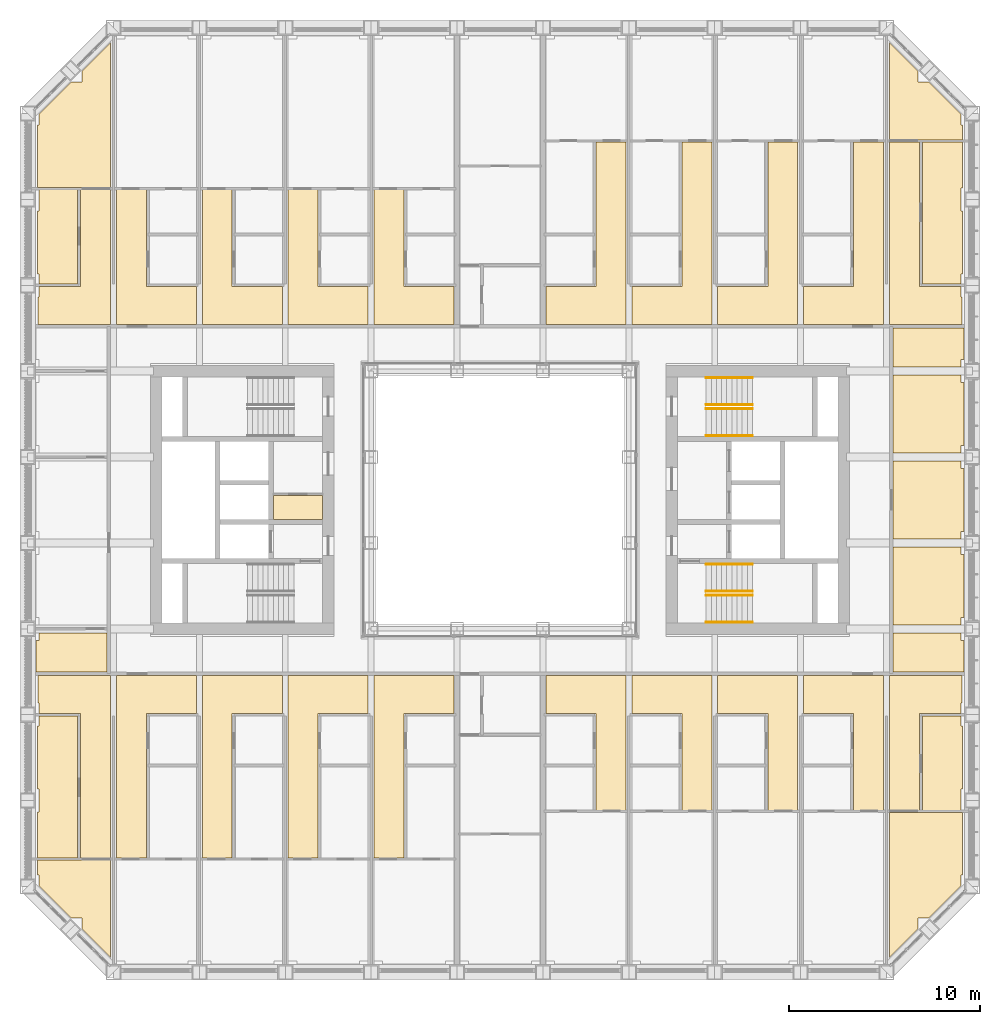
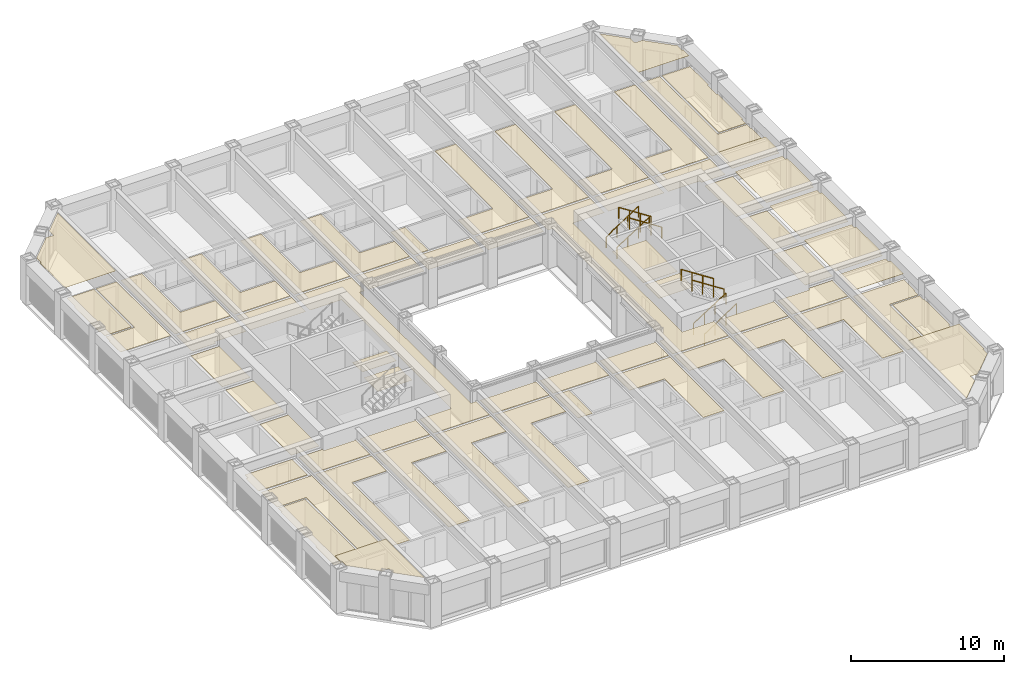
# One storey, part 20 of 21: 8 railings, 4 coverings.
"""IFC4 building model written with IfcOpenShell, lengths in metres."""

from ifc_helpers import new_model, si_unit, direction, frame, origin, origin_2d, place, context, subcontext, project, spatial, line, indexed_curve, circle, outline, extrude, material, layer, layer_set, type_object, element, save


model = new_model("IFC4")

# Units and contexts
model_context = context("Model", 3, precision=1e-05, world=origin(), true_north=direction((0.0, 1.0)))
body_context = subcontext(model_context, "Body", "Model", "MODEL_VIEW")
ifc_project = project(units=[si_unit("LENGTHUNIT", "METRE"), si_unit("AREAUNIT", "SQUARE_METRE"), si_unit("VOLUMEUNIT", "CUBIC_METRE"), si_unit("PLANEANGLEUNIT", "RADIAN"), si_unit("MASSUNIT", "GRAM", prefix="KILO")], contexts=[model_context])

# Site, building, storey
site_placement = place(None, origin())
site = spatial("IfcSite", under=ifc_project, at=site_placement, CompositionType="ELEMENT")
building_placement = place(site_placement, origin())
building = spatial("IfcBuilding", under=site, at=building_placement, Name="Msasa Ring Tower", CompositionType="ELEMENT")
storey_placement = place(building_placement, frame((0.0, 0.0, 100.0)))
storey = spatial("IfcBuildingStorey", under=building, at=storey_placement, Name="L26", CompositionType="ELEMENT", Elevation=100.0)

# Coverings
ifc_material_1 = material(Name="Gypsum plasterboard on a steel suspension grid", Category="steel")
ifc_layer_1 = layer(ifc_material_1, 0.014892578125)
ifc_layer_set_1 = layer_set([ifc_layer_1], Name="C1 SUSPENDED PLASTERBOARD CEILING 15")
covering_type_1 = type_object("IfcCoveringType", Name="C1 SUSPENDED PLASTERBOARD CEILING 15", PredefinedType="CEILING", material=ifc_layer_set_1)
covering_1_placement = place(storey_placement, frame((0.0, 0.0, 2.39990234375)))
element("IfcCovering", 1, at=covering_1_placement, inside=storey, type_object=covering_type_1, Name="Suspended Plasterboard Ceiling 15 circulation L26", PredefinedType="CEILING", context=body_context, shape_type="SweptSolid", body=[
    extrude(outline(indexed_curve([(-21.969482421875, -18.757080078125), (-21.969482421875, -11.18701171875), (-24.1494140625, -11.18701171875), (-24.1494140625, -10.6494140625), (-24.199462890625, -10.6494140625), (-24.199462890625, -9.200439453125), (-20.404296875, -9.200439453125), (-20.404296875, -18.757080078125)], segments=[line(1, 2, 3, 4, 5, 6, 7, 8, 1)], self_intersect=False)), origin(), (0.0, 0.0, 1.0), 0.01513671875),
    extrude(outline(indexed_curve([(-24.199462890625, 9.200439453125), (-24.199462890625, 10.6494140625), (-24.1494140625, 10.6494140625), (-24.1494140625, 11.18701171875), (-21.969482421875, 11.18701171875), (-21.969482421875, 16.257080078125), (-20.404296875, 16.257080078125), (-20.404296875, 9.200439453125)], segments=[line(1, 2, 3, 4, 5, 6, 7, 8, 1)], self_intersect=False)), origin(), (0.0, 0.0, 1.0), 0.01513671875),
    extrude(outline(indexed_curve([(-20.3994140625, -2.460693359375), (-18.300537109375, -2.460693359375), (-18.300537109375, -6.539306640625), (-20.3994140625, -6.539306640625)], segments=[line(1, 2, 3, 4, 1)], self_intersect=False)), origin(), (0.0, 0.0, 1.0), 0.01513671875),
    extrude(outline(indexed_curve([(-20.3994140625, 2.039306640625), (-18.300537109375, 2.039306640625), (-18.300537109375, -2.039306640625), (-20.3994140625, -2.039306640625)], segments=[line(1, 2, 3, 4, 1)], self_intersect=False)), origin(), (0.0, 0.0, 1.0), 0.01513671875),
    extrude(outline(indexed_curve([(-20.3994140625, 6.539306640625), (-18.300537109375, 6.539306640625), (-18.300537109375, 2.460693359375), (-20.3994140625, 2.460693359375)], segments=[line(1, 2, 3, 4, 1)], self_intersect=False)), origin(), (0.0, 0.0, 1.0), 0.01513671875),
    extrude(outline(indexed_curve([(-18.530517578125, -11.18701171875), (-18.530517578125, -18.757080078125), (-20.095703125, -18.757080078125), (-20.095703125, -9.200439453125), (-15.904296875, -9.200439453125), (-15.904296875, -11.18701171875)], segments=[line(1, 2, 3, 4, 5, 6, 1)], self_intersect=False)), origin(), (0.0, 0.0, 1.0), 0.01513671875),
    extrude(outline(indexed_curve([(-20.095703125, -8.99951171875), (-20.095703125, -6.960693359375), (-18.300537109375, -6.960693359375), (-18.300537109375, -7.150390625), (-15.904296875, -7.150390625), (-15.904296875, -8.99951171875)], segments=[line(1, 2, 3, 4, 5, 6, 1)], self_intersect=False)), origin(), (0.0, 0.0, 1.0), 0.01513671875),
    extrude(outline(indexed_curve([(-15.904296875, 8.99951171875), (-15.904296875, 7.150390625), (-18.300537109375, 7.150390625), (-18.300537109375, 6.960693359375), (-20.095703125, 6.960693359375), (-20.095703125, 8.99951171875)], segments=[line(1, 2, 3, 4, 5, 6, 1)], self_intersect=False)), origin(), (0.0, 0.0, 1.0), 0.01513671875),
    extrude(outline(indexed_curve([(-18.530517578125, 16.257080078125), (-18.530517578125, 11.18701171875), (-15.904296875, 11.18701171875), (-15.904296875, 9.200439453125), (-20.095703125, 9.200439453125), (-20.095703125, 16.257080078125)], segments=[line(1, 2, 3, 4, 5, 6, 1)], self_intersect=False)), origin(), (0.0, 0.0, 1.0), 0.01513671875),
    extrude(outline(indexed_curve([(-14.030517578125, -11.18701171875), (-14.030517578125, -18.757080078125), (-15.595703125, -18.757080078125), (-15.595703125, -9.200439453125), (-11.404296875, -9.200439453125), (-11.404296875, -11.18701171875)], segments=[line(1, 2, 3, 4, 5, 6, 1)], self_intersect=False)), origin(), (0.0, 0.0, 1.0), 0.01513671875),
    extrude(outline(indexed_curve([(-15.595703125, -8.99951171875), (-15.595703125, -7.150390625), (-11.404296875, -7.150390625), (-11.404296875, -8.99951171875)], segments=[line(1, 2, 3, 4, 1)], self_intersect=False)), origin(), (0.0, 0.0, 1.0), 0.01513671875),
    extrude(outline(indexed_curve([(-11.404296875, 8.99951171875), (-11.404296875, 7.150390625), (-15.595703125, 7.150390625), (-15.595703125, 8.99951171875)], segments=[line(1, 2, 3, 4, 1)], self_intersect=False)), origin(), (0.0, 0.0, 1.0), 0.01513671875),
    extrude(outline(indexed_curve([(-14.030517578125, 16.257080078125), (-14.030517578125, 11.18701171875), (-11.404296875, 11.18701171875), (-11.404296875, 9.200439453125), (-15.595703125, 9.200439453125), (-15.595703125, 16.257080078125)], segments=[line(1, 2, 3, 4, 5, 6, 1)], self_intersect=False)), origin(), (0.0, 0.0, 1.0), 0.01513671875),
    extrude(outline(indexed_curve([(-11.87451171875, -1.275390625), (-9.300537109375, -1.275390625), (-9.300537109375, -3.074462890625), (-11.87451171875, -3.074462890625)], segments=[line(1, 2, 3, 4, 1)], self_intersect=False)), origin(), (0.0, 0.0, 1.0), 0.01513671875),
    extrude(outline(indexed_curve([(-9.530517578125, -18.757080078125), (-11.095703125, -18.757080078125), (-11.095703125, -9.200439453125), (-6.904296875, -9.200439453125), (-6.904296875, -11.18701171875), (-9.530517578125, -11.18701171875)], segments=[line(1, 2, 3, 4, 5, 6, 1)], self_intersect=False)), origin(), (0.0, 0.0, 1.0), 0.01513671875),
    extrude(outline(indexed_curve([(-6.904296875, 8.99951171875), (-6.904296875, 7.280029296875), (-7.275390625, 7.275390625), (-7.280517578125, 7.23046875), (-7.280517578125, -7.23046875), (-7.275390625, -7.275390625), (-6.904296875, -7.280029296875), (-6.904296875, -8.99951171875), (-11.095703125, -8.99951171875), (-11.095703125, -7.150390625), (-8.699462890625, -7.150390625), (-8.699462890625, 7.150390625), (-11.095703125, 7.150390625), (-11.095703125, 8.99951171875)], segments=[line(1, 2, 3, 4, 5, 6, 7, 8, 9, 10, 11, 12, 13, 14, 1)], self_intersect=False)), origin(), (0.0, 0.0, 1.0), 0.01513671875),
    extrude(outline(indexed_curve([(-9.530517578125, 16.257080078125), (-9.530517578125, 11.18701171875), (-6.904296875, 11.18701171875), (-6.904296875, 9.200439453125), (-11.095703125, 9.200439453125), (-11.095703125, 16.257080078125)], segments=[line(1, 2, 3, 4, 5, 6, 1)], self_intersect=False)), origin(), (0.0, 0.0, 1.0), 0.01513671875),
    extrude(outline(indexed_curve([(-2.404296875, -9.200439453125), (-2.404296875, -11.18701171875), (-5.030517578125, -11.18701171875), (-5.030517578125, -18.757080078125), (-6.595703125, -18.757080078125), (-6.595703125, -9.200439453125)], segments=[line(1, 2, 3, 4, 5, 6, 1)], self_intersect=False)), origin(), (0.0, 0.0, 1.0), 0.01513671875),
    extrude(outline(indexed_curve([(-6.595703125, -8.99951171875), (-6.595703125, -7.280029296875), (-2.404296875, -7.280029296875), (-2.404296875, -8.99951171875)], segments=[line(1, 2, 3, 4, 1)], self_intersect=False)), origin(), (0.0, 0.0, 1.0), 0.01513671875),
    extrude(outline(indexed_curve([(-2.404296875, 8.99951171875), (-2.404296875, 7.280029296875), (-6.595703125, 7.280029296875), (-6.595703125, 8.99951171875)], segments=[line(1, 2, 3, 4, 1)], self_intersect=False)), origin(), (0.0, 0.0, 1.0), 0.01513671875),
    extrude(outline(indexed_curve([(-5.030517578125, 16.257080078125), (-5.030517578125, 11.18701171875), (-2.404296875, 11.18701171875), (-2.404296875, 9.200439453125), (-6.595703125, 9.200439453125), (-6.595703125, 16.257080078125)], segments=[line(1, 2, 3, 4, 5, 6, 1)], self_intersect=False)), origin(), (0.0, 0.0, 1.0), 0.01513671875),
    extrude(outline(indexed_curve([(-2.095703125, -12.219482421875), (-2.095703125, -9.200439453125), (-1.00048828125, -9.200439453125), (-1.00048828125, -12.219482421875)], segments=[line(1, 2, 3, 4, 1)], self_intersect=False)), origin(), (0.0, 0.0, 1.0), 0.01513671875),
    extrude(outline(indexed_curve([(-2.095703125, -8.99951171875), (-2.095703125, -7.280029296875), (2.095703125, -7.280029296875), (2.095703125, -8.99951171875)], segments=[line(1, 2, 3, 4, 1)], self_intersect=False)), origin(), (0.0, 0.0, 1.0), 0.01513671875),
    extrude(outline(indexed_curve([(2.095703125, 8.99951171875), (2.095703125, 7.280029296875), (-2.095703125, 7.280029296875), (-2.095703125, 8.99951171875)], segments=[line(1, 2, 3, 4, 1)], self_intersect=False)), origin(), (0.0, 0.0, 1.0), 0.01513671875),
    extrude(outline(indexed_curve([(-2.095703125, 9.200439453125), (-2.095703125, 12.219482421875), (-1.00048828125, 12.219482421875), (-1.00048828125, 9.200439453125)], segments=[line(1, 2, 3, 4, 1)], self_intersect=False)), origin(), (0.0, 0.0, 1.0), 0.01513671875),
    extrude(outline(indexed_curve([(5.030517578125, -16.257080078125), (5.030517578125, -11.18701171875), (2.404296875, -11.18701171875), (2.404296875, -9.200439453125), (6.595703125, -9.200439453125), (6.595703125, -16.257080078125)], segments=[line(1, 2, 3, 4, 5, 6, 1)], self_intersect=False)), origin(), (0.0, 0.0, 1.0), 0.01513671875),
    extrude(outline(indexed_curve([(2.404296875, -8.99951171875), (2.404296875, -7.280029296875), (6.595703125, -7.280029296875), (6.595703125, -8.99951171875)], segments=[line(1, 2, 3, 4, 1)], self_intersect=False)), origin(), (0.0, 0.0, 1.0), 0.01513671875),
    extrude(outline(indexed_curve([(6.595703125, 8.99951171875), (6.595703125, 7.280029296875), (2.404296875, 7.280029296875), (2.404296875, 8.99951171875)], segments=[line(1, 2, 3, 4, 1)], self_intersect=False)), origin(), (0.0, 0.0, 1.0), 0.01513671875),
    extrude(outline(indexed_curve([(2.404296875, 9.200439453125), (2.404296875, 11.18701171875), (5.030517578125, 11.18701171875), (5.030517578125, 18.757080078125), (6.595703125, 18.757080078125), (6.595703125, 9.200439453125)], segments=[line(1, 2, 3, 4, 5, 6, 1)], self_intersect=False)), origin(), (0.0, 0.0, 1.0), 0.01513671875),
    extrude(outline(indexed_curve([(9.530517578125, -16.257080078125), (9.530517578125, -11.18701171875), (6.904296875, -11.18701171875), (6.904296875, -9.200439453125), (11.095703125, -9.200439453125), (11.095703125, -16.257080078125)], segments=[line(1, 2, 3, 4, 5, 6, 1)], self_intersect=False)), origin(), (0.0, 0.0, 1.0), 0.01513671875),
    extrude(outline(indexed_curve([(11.095703125, 8.99951171875), (11.095703125, 7.150390625), (8.699462890625, 7.150390625), (8.699462890625, -7.150390625), (11.095703125, -7.150390625), (11.095703125, -8.99951171875), (6.904296875, -8.99951171875), (6.904296875, -7.280029296875), (7.275390625, -7.275390625), (7.280517578125, -7.23046875), (7.280517578125, 7.23046875), (7.275390625, 7.275390625), (6.904296875, 7.280029296875), (6.904296875, 8.99951171875)], segments=[line(1, 2, 3, 4, 5, 6, 7, 8, 9, 10, 11, 12, 13, 14, 1)], self_intersect=False)), origin(), (0.0, 0.0, 1.0), 0.01513671875),
    extrude(outline(indexed_curve([(11.095703125, 18.757080078125), (11.095703125, 9.200439453125), (6.904296875, 9.200439453125), (6.904296875, 11.18701171875), (9.530517578125, 11.18701171875), (9.530517578125, 18.757080078125)], segments=[line(1, 2, 3, 4, 5, 6, 1)], self_intersect=False)), origin(), (0.0, 0.0, 1.0), 0.01513671875),
    extrude(outline(indexed_curve([(9.300537109375, -1.275390625), (11.87451171875, -1.275390625), (11.87451171875, -3.074462890625), (9.300537109375, -3.074462890625)], segments=[line(1, 2, 3, 4, 1)], self_intersect=False)), origin(), (0.0, 0.0, 1.0), 0.01513671875),
    extrude(outline(indexed_curve([(9.300537109375, -1.0244140625), (9.300537109375, 3.074462890625), (11.87451171875, 3.074462890625), (11.87451171875, -1.0244140625)], segments=[line(1, 2, 3, 4, 1)], self_intersect=False)), origin(), (0.0, 0.0, 1.0), 0.01513671875),
    extrude(outline(indexed_curve([(14.030517578125, -16.257080078125), (14.030517578125, -11.18701171875), (11.404296875, -11.18701171875), (11.404296875, -9.200439453125), (15.595703125, -9.200439453125), (15.595703125, -16.257080078125)], segments=[line(1, 2, 3, 4, 5, 6, 1)], self_intersect=False)), origin(), (0.0, 0.0, 1.0), 0.01513671875),
    extrude(outline(indexed_curve([(11.404296875, -8.99951171875), (11.404296875, -7.150390625), (15.595703125, -7.150390625), (15.595703125, -8.99951171875)], segments=[line(1, 2, 3, 4, 1)], self_intersect=False)), origin(), (0.0, 0.0, 1.0), 0.01513671875),
    extrude(outline(indexed_curve([(15.595703125, 8.99951171875), (15.595703125, 7.150390625), (11.404296875, 7.150390625), (11.404296875, 8.99951171875)], segments=[line(1, 2, 3, 4, 1)], self_intersect=False)), origin(), (0.0, 0.0, 1.0), 0.01513671875),
    extrude(outline(indexed_curve([(14.030517578125, 11.18701171875), (14.030517578125, 18.757080078125), (15.595703125, 18.757080078125), (15.595703125, 9.200439453125), (11.404296875, 9.200439453125), (11.404296875, 11.18701171875)], segments=[line(1, 2, 3, 4, 5, 6, 1)], self_intersect=False)), origin(), (0.0, 0.0, 1.0), 0.01513671875),
    extrude(outline(indexed_curve([(18.530517578125, -16.257080078125), (18.530517578125, -11.18701171875), (15.904296875, -11.18701171875), (15.904296875, -9.200439453125), (20.095703125, -9.200439453125), (20.095703125, -16.257080078125)], segments=[line(1, 2, 3, 4, 5, 6, 1)], self_intersect=False)), origin(), (0.0, 0.0, 1.0), 0.01513671875),
    extrude(outline(indexed_curve([(15.904296875, -8.99951171875), (15.904296875, -7.150390625), (18.300537109375, -7.150390625), (18.300537109375, -6.960693359375), (20.095703125, -6.960693359375), (20.095703125, -8.99951171875)], segments=[line(1, 2, 3, 4, 5, 6, 1)], self_intersect=False)), origin(), (0.0, 0.0, 1.0), 0.01513671875),
    extrude(outline(indexed_curve([(20.095703125, 8.99951171875), (20.095703125, 6.960693359375), (18.300537109375, 6.960693359375), (18.300537109375, 7.150390625), (15.904296875, 7.150390625), (15.904296875, 8.99951171875)], segments=[line(1, 2, 3, 4, 5, 6, 1)], self_intersect=False)), origin(), (0.0, 0.0, 1.0), 0.01513671875),
    extrude(outline(indexed_curve([(18.530517578125, 11.18701171875), (18.530517578125, 18.757080078125), (20.095703125, 18.757080078125), (20.095703125, 9.200439453125), (15.904296875, 9.200439453125), (15.904296875, 11.18701171875)], segments=[line(1, 2, 3, 4, 5, 6, 1)], self_intersect=False)), origin(), (0.0, 0.0, 1.0), 0.01513671875),
    extrude(outline(indexed_curve([(20.3994140625, -6.539306640625), (18.300537109375, -6.539306640625), (18.300537109375, -2.460693359375), (20.3994140625, -2.460693359375)], segments=[line(1, 2, 3, 4, 1)], self_intersect=False)), origin(), (0.0, 0.0, 1.0), 0.01513671875),
    extrude(outline(indexed_curve([(20.3994140625, -2.039306640625), (18.300537109375, -2.039306640625), (18.300537109375, 2.039306640625), (20.3994140625, 2.039306640625)], segments=[line(1, 2, 3, 4, 1)], self_intersect=False)), origin(), (0.0, 0.0, 1.0), 0.01513671875),
    extrude(outline(indexed_curve([(20.3994140625, 2.460693359375), (18.300537109375, 2.460693359375), (18.300537109375, 6.539306640625), (20.3994140625, 6.539306640625)], segments=[line(1, 2, 3, 4, 1)], self_intersect=False)), origin(), (0.0, 0.0, 1.0), 0.01513671875),
    extrude(outline(indexed_curve([(24.199462890625, -9.200439453125), (24.199462890625, -10.6494140625), (24.1494140625, -10.6494140625), (24.1494140625, -11.18701171875), (21.969482421875, -11.18701171875), (21.969482421875, -16.257080078125), (20.404296875, -16.257080078125), (20.404296875, -9.200439453125)], segments=[line(1, 2, 3, 4, 5, 6, 7, 8, 1)], self_intersect=False)), origin(), (0.0, 0.0, 1.0), 0.01513671875),
    extrude(outline(indexed_curve([(21.969482421875, 18.757080078125), (21.969482421875, 11.18701171875), (24.1494140625, 11.18701171875), (24.1494140625, 10.6494140625), (24.199462890625, 10.6494140625), (24.199462890625, 9.200439453125), (20.404296875, 9.200439453125), (20.404296875, 18.757080078125)], segments=[line(1, 2, 3, 4, 5, 6, 7, 8, 1)], self_intersect=False)), origin(), (0.0, 0.0, 1.0), 0.01513671875),
])
covering_2_placement = place(storey_placement, frame((0.0, 0.0, 3.199951171875)))
element("IfcCovering", 2, at=covering_2_placement, inside=storey, type_object=covering_type_1, Name="Suspended Plasterboard Ceiling 15 public rooms L26", PredefinedType="CEILING", context=body_context, shape_type="SweptSolid", body=[
    extrude(outline(indexed_curve([(-21.8994140625, -22.46337890625), (-21.8994140625, -21.8994140625), (-22.46337890625, -21.8994140625), (-24.1494140625, -20.21337890625), (-24.1494140625, -19.6494140625), (-24.23193359375, -19.6494140625), (-24.23193359375, -18.867919921875), (-20.404296875, -18.867919921875), (-20.404296875, -23.95849609375)], segments=[line(1, 2, 3, 4, 5, 6, 7, 8, 9, 1)], self_intersect=False)), origin(), (0.0, 0.0, 1.0), 0.01513671875),
    extrude(outline(indexed_curve([(-22.46337890625, 21.8994140625), (-21.8994140625, 21.8994140625), (-21.8994140625, 22.46337890625), (-20.404296875, 23.95849609375), (-20.404296875, 16.367919921875), (-24.23193359375, 16.367919921875), (-24.23193359375, 19.6494140625), (-24.1494140625, 19.6494140625), (-24.1494140625, 20.21337890625)], segments=[line(1, 2, 3, 4, 5, 6, 7, 8, 9, 1)], self_intersect=False)), origin(), (0.0, 0.0, 1.0), 0.01513671875),
    extrude(outline(indexed_curve([(22.46337890625, -21.8994140625), (21.8994140625, -21.8994140625), (21.8994140625, -22.46337890625), (20.404296875, -23.95849609375), (20.404296875, -16.367919921875), (24.23193359375, -16.367919921875), (24.23193359375, -19.6494140625), (24.1494140625, -19.6494140625), (24.1494140625, -20.21337890625)], segments=[line(1, 2, 3, 4, 5, 6, 7, 8, 9, 1)], self_intersect=False)), origin(), (0.0, 0.0, 1.0), 0.01513671875),
    extrude(outline(indexed_curve([(21.8994140625, 22.46337890625), (21.8994140625, 21.8994140625), (22.46337890625, 21.8994140625), (24.1494140625, 20.21337890625), (24.1494140625, 19.6494140625), (24.23193359375, 19.6494140625), (24.23193359375, 18.867919921875), (20.404296875, 18.867919921875), (20.404296875, 23.95849609375)], segments=[line(1, 2, 3, 4, 5, 6, 7, 8, 9, 1)], self_intersect=False)), origin(), (0.0, 0.0, 1.0), 0.01513671875),
])
ifc_material_2 = material(Name="Mineral fibre ceiling tiles on an exposed steel grid", Category="steel")
ifc_layer_2 = layer(ifc_material_2, 0.02001953125)
ifc_layer_set_2 = layer_set([ifc_layer_2], Name="C3 ACOUSTIC MINERAL FIBRE TILE CEILING 20")
covering_type_2 = type_object("IfcCoveringType", Name="C3 ACOUSTIC MINERAL FIBRE TILE CEILING 20", PredefinedType="CEILING", material=ifc_layer_set_2)
covering_3_placement = place(storey_placement, frame((0.0, 0.0, 2.699951171875)))
element("IfcCovering", 3, at=covering_3_placement, inside=storey, type_object=covering_type_2, Name="Acoustic Mineral Fibre Tile Ceiling 20 L26", PredefinedType="CEILING", context=body_context, shape_type="SweptSolid", body=[
    extrude(outline(indexed_curve([(-9.300537109375, 0.244384765625), (-9.300537109375, -1.0244140625), (-11.87451171875, -1.0244140625), (-11.87451171875, 0.244384765625)], segments=[line(1, 2, 3, 4, 1)], self_intersect=False)), origin(), (0.0, 0.0, 1.0), 0.02001953125),
    extrude(outline(indexed_curve([(20.6005859375, -6.960693359375), (24.1494140625, -6.960693359375), (24.1494140625, -7.3505859375), (24.299560546875, -7.3505859375), (24.299560546875, -8.99951171875), (20.6005859375, -8.99951171875)], segments=[line(1, 2, 3, 4, 5, 6, 1)], self_intersect=False)), origin(), (0.0, 0.0, 1.0), 0.02001953125),
    extrude(outline(indexed_curve([(20.6005859375, -2.460693359375), (24.1494140625, -2.460693359375), (24.1494140625, -2.8505859375), (24.299560546875, -2.8505859375), (24.299560546875, -6.1494140625), (24.1494140625, -6.1494140625), (24.1494140625, -6.539306640625), (20.6005859375, -6.539306640625)], segments=[line(1, 2, 3, 4, 5, 6, 7, 8, 1)], self_intersect=False)), origin(), (0.0, 0.0, 1.0), 0.02001953125),
    extrude(outline(indexed_curve([(20.6005859375, 2.039306640625), (24.1494140625, 2.039306640625), (24.1494140625, 1.6494140625), (24.299560546875, 1.6494140625), (24.299560546875, -1.6494140625), (24.1494140625, -1.6494140625), (24.1494140625, -2.039306640625), (20.6005859375, -2.039306640625)], segments=[line(1, 2, 3, 4, 5, 6, 7, 8, 1)], self_intersect=False)), origin(), (0.0, 0.0, 1.0), 0.02001953125),
    extrude(outline(indexed_curve([(20.6005859375, 6.539306640625), (24.1494140625, 6.539306640625), (24.1494140625, 6.1494140625), (24.299560546875, 6.1494140625), (24.299560546875, 2.8505859375), (24.1494140625, 2.8505859375), (24.1494140625, 2.460693359375), (20.6005859375, 2.460693359375)], segments=[line(1, 2, 3, 4, 5, 6, 7, 8, 1)], self_intersect=False)), origin(), (0.0, 0.0, 1.0), 0.02001953125),
    extrude(outline(indexed_curve([(20.6005859375, 8.99951171875), (24.299560546875, 8.99951171875), (24.299560546875, 7.3505859375), (24.1494140625, 7.3505859375), (24.1494140625, 6.960693359375), (20.6005859375, 6.960693359375)], segments=[line(1, 2, 3, 4, 5, 6, 1)], self_intersect=False)), origin(), (0.0, 0.0, 1.0), 0.02001953125),
])
ifc_material_3 = material(Name="Perforated aluminium ceiling pans on a steel grid", Category="steel")
ifc_layer_3 = layer(ifc_material_3, 0.02490234375)
ifc_layer_set_3 = layer_set([ifc_layer_3], Name="C4 PERFORATED METAL PAN CEILING 25")
covering_type_3 = type_object("IfcCoveringType", Name="C4 PERFORATED METAL PAN CEILING 25", PredefinedType="CEILING", material=ifc_layer_set_3)
covering_4_placement = place(storey_placement, frame((0.0, 0.0, 2.39990234375)))
element("IfcCovering", 4, at=covering_4_placement, inside=storey, type_object=covering_type_3, Name="Perforated Metal Pan Ceiling 25 L26", PredefinedType="CEILING", context=body_context, shape_type="SweptSolid", body=[
    extrude(outline(indexed_curve([(-24.299560546875, -7.3505859375), (-24.1494140625, -7.3505859375), (-24.1494140625, -6.960693359375), (-20.6005859375, -6.960693359375), (-20.6005859375, -8.99951171875), (-24.299560546875, -8.99951171875)], segments=[line(1, 2, 3, 4, 5, 6, 1)], self_intersect=False)), origin(), (0.0, 0.0, 1.0), 0.025146484375),
    extrude(outline(indexed_curve([(-22.130615234375, -18.757080078125), (-24.23193359375, -18.757080078125), (-24.23193359375, -16.3505859375), (-24.1494140625, -16.3505859375), (-24.1494140625, -15.1494140625), (-24.23193359375, -15.1494140625), (-24.23193359375, -11.8505859375), (-24.1494140625, -11.8505859375), (-24.1494140625, -11.318115234375), (-22.130615234375, -11.318115234375)], segments=[line(1, 2, 3, 4, 5, 6, 7, 8, 9, 10, 1)], self_intersect=False)), origin(), (0.0, 0.0, 1.0), 0.025146484375),
    extrude(outline(indexed_curve([(-24.1494140625, 11.318115234375), (-24.1494140625, 11.8505859375), (-24.23193359375, 11.8505859375), (-24.23193359375, 15.1494140625), (-24.1494140625, 15.1494140625), (-24.1494140625, 16.257080078125), (-22.130615234375, 16.257080078125), (-22.130615234375, 11.318115234375)], segments=[line(1, 2, 3, 4, 5, 6, 7, 8, 1)], self_intersect=False)), origin(), (0.0, 0.0, 1.0), 0.025146484375),
    extrude(outline(indexed_curve([(24.23193359375, -15.1494140625), (24.1494140625, -15.1494140625), (24.1494140625, -16.257080078125), (22.130615234375, -16.257080078125), (22.130615234375, -11.318115234375), (24.1494140625, -11.318115234375), (24.1494140625, -11.8505859375), (24.23193359375, -11.8505859375)], segments=[line(1, 2, 3, 4, 5, 6, 7, 8, 1)], self_intersect=False)), origin(), (0.0, 0.0, 1.0), 0.025146484375),
    extrude(outline(indexed_curve([(22.130615234375, 11.318115234375), (22.130615234375, 18.757080078125), (24.23193359375, 18.757080078125), (24.23193359375, 16.3505859375), (24.1494140625, 16.3505859375), (24.1494140625, 15.1494140625), (24.23193359375, 15.1494140625), (24.23193359375, 11.8505859375), (24.1494140625, 11.8505859375), (24.1494140625, 11.318115234375)], segments=[line(1, 2, 3, 4, 5, 6, 7, 8, 9, 10, 1)], self_intersect=False)), origin(), (0.0, 0.0, 1.0), 0.025146484375),
])

# Railings
ifc_material_4 = material(Name="Stainless steel", Category="steel")
railing_type = type_object("IfcRailingType", Name="HR1 HANDRAIL 900", PredefinedType="HANDRAIL", material=ifc_material_4)
for number, where, name in (
    (5, (10.800048828125, -6.39990234375, 0.175048828125), "Handrail stair SEA L26 1"),
    (6, (10.800048828125, -5.0, 0.175048828125), "Handrail stair SEA L26 2"),
):
    element("IfcRailing", number, at=place(storey_placement, frame(where)), inside=storey, type_object=railing_type, Name=name, PredefinedType="HANDRAIL", context=body_context, shape_type="SweptSolid", body=[
        extrude(circle(Radius=0.02392578125, at=origin_2d()), frame((0.0, 0.0, 0.8759765625), z_axis=(0.839153699163, 0.0, 0.543894354798), x_axis=(0.0, 1.0, 0.0)), (0.0, 0.0, 1.0), 2.895751953125),
        extrude(circle(Radius=0.02099609375, at=origin_2d()), origin(), (0.0, 0.0, 1.0), 0.851806640625),
        extrude(circle(Radius=0.02099609375, at=origin_2d()), frame((0.81005859375, 0.0, 0.52490234375)), (0.0, 0.0, 1.0), 0.851806640625),
        extrude(circle(Radius=0.02099609375, at=origin_2d()), frame((1.619873046875, 0.0, 1.050048828125)), (0.0, 0.0, 1.0), 0.851806640625),
        extrude(circle(Radius=0.02099609375, at=origin_2d()), frame((2.429931640625, 0.0, 1.574951171875)), (0.0, 0.0, 1.0), 0.851806640625),
    ])
for number, where, name in (
    (7, (13.22998046875, -4.77490234375, 1.925048828125), "Handrail stair SEA L26 3"),
    (8, (13.22998046875, -3.375, 1.925048828125), "Handrail stair SEA L26 4"),
):
    element("IfcRailing", number, at=place(storey_placement, frame(where)), inside=storey, type_object=railing_type, Name=name, PredefinedType="HANDRAIL", context=body_context, shape_type="SweptSolid", body=[
        extrude(circle(Radius=0.02392578125, at=origin_2d()), frame((0.0, 0.0, 0.8759765625), z_axis=(-0.839153699163, 0.0, 0.543894354798), x_axis=(0.0, -1.0, 0.0)), (0.0, 0.0, 1.0), 2.895751953125),
        extrude(circle(Radius=0.02099609375, at=origin_2d()), origin(), (0.0, 0.0, 1.0), 0.851806640625),
        extrude(circle(Radius=0.02099609375, at=origin_2d()), frame((-0.81005859375, 0.0, 0.52490234375)), (0.0, 0.0, 1.0), 0.851806640625),
        extrude(circle(Radius=0.02099609375, at=origin_2d()), frame((-1.619873046875, 0.0, 1.050048828125)), (0.0, 0.0, 1.0), 0.851806640625),
        extrude(circle(Radius=0.02099609375, at=origin_2d()), frame((-2.429931640625, 0.0, 1.574951171875)), (0.0, 0.0, 1.0), 0.851806640625),
    ])
for number, where, name in (
    (9, (10.800048828125, 5.0, 0.175048828125), "Handrail stair SEB L26 1"),
    (10, (10.800048828125, 6.39990234375, 0.175048828125), "Handrail stair SEB L26 2"),
):
    element("IfcRailing", number, at=place(storey_placement, frame(where)), inside=storey, type_object=railing_type, Name=name, PredefinedType="HANDRAIL", context=body_context, shape_type="SweptSolid", body=[
        extrude(circle(Radius=0.02392578125, at=origin_2d()), frame((0.0, 0.0, 0.8759765625), z_axis=(0.839153699163, 0.0, 0.543894354798), x_axis=(0.0, 1.0, 0.0)), (0.0, 0.0, 1.0), 2.895751953125),
        extrude(circle(Radius=0.02099609375, at=origin_2d()), origin(), (0.0, 0.0, 1.0), 0.851806640625),
        extrude(circle(Radius=0.02099609375, at=origin_2d()), frame((0.81005859375, 0.0, 0.52490234375)), (0.0, 0.0, 1.0), 0.851806640625),
        extrude(circle(Radius=0.02099609375, at=origin_2d()), frame((1.619873046875, 0.0, 1.050048828125)), (0.0, 0.0, 1.0), 0.851806640625),
        extrude(circle(Radius=0.02099609375, at=origin_2d()), frame((2.429931640625, 0.0, 1.574951171875)), (0.0, 0.0, 1.0), 0.851806640625),
    ])
for number, where, name in (
    (11, (13.22998046875, 3.375, 1.925048828125), "Handrail stair SEB L26 3"),
    (12, (13.22998046875, 4.77490234375, 1.925048828125), "Handrail stair SEB L26 4"),
):
    element("IfcRailing", number, at=place(storey_placement, frame(where)), inside=storey, type_object=railing_type, Name=name, PredefinedType="HANDRAIL", context=body_context, shape_type="SweptSolid", body=[
        extrude(circle(Radius=0.02392578125, at=origin_2d()), frame((0.0, 0.0, 0.8759765625), z_axis=(-0.839153699163, 0.0, 0.543894354798), x_axis=(0.0, -1.0, 0.0)), (0.0, 0.0, 1.0), 2.895751953125),
        extrude(circle(Radius=0.02099609375, at=origin_2d()), origin(), (0.0, 0.0, 1.0), 0.851806640625),
        extrude(circle(Radius=0.02099609375, at=origin_2d()), frame((-0.81005859375, 0.0, 0.52490234375)), (0.0, 0.0, 1.0), 0.851806640625),
        extrude(circle(Radius=0.02099609375, at=origin_2d()), frame((-1.619873046875, 0.0, 1.050048828125)), (0.0, 0.0, 1.0), 0.851806640625),
        extrude(circle(Radius=0.02099609375, at=origin_2d()), frame((-2.429931640625, 0.0, 1.574951171875)), (0.0, 0.0, 1.0), 0.851806640625),
    ])

save(model, "model.ifc")
